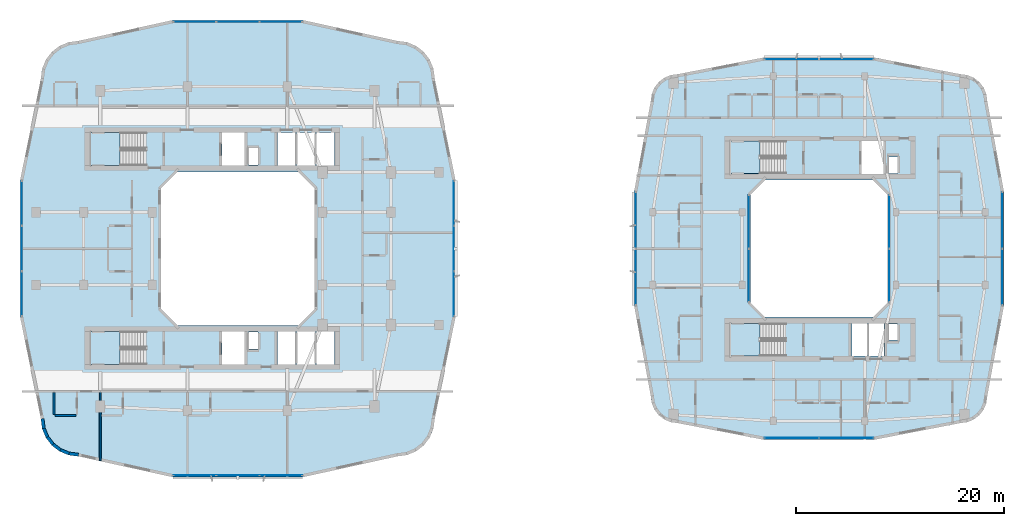
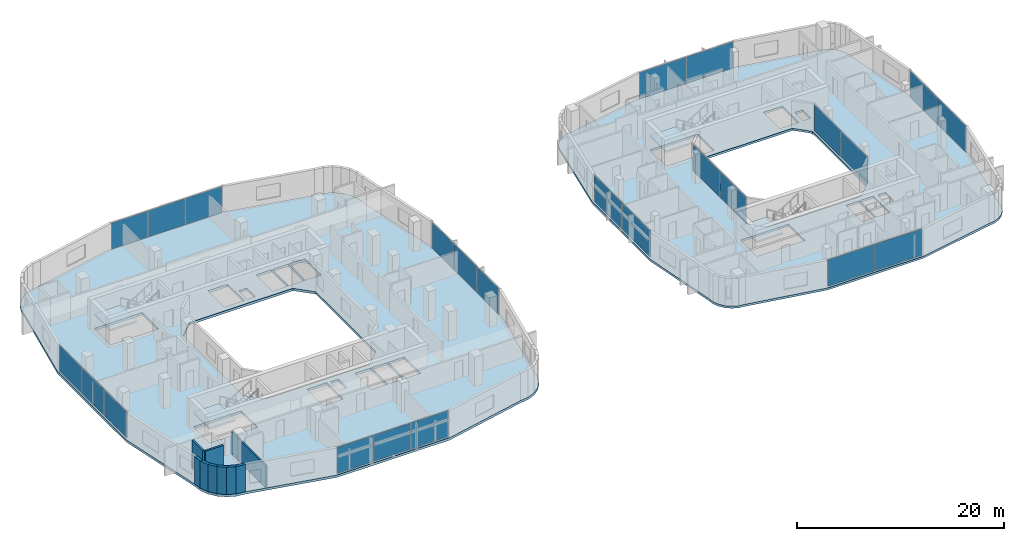
# One storey, part 11 of 25: 24 plates, 9 walls, 6 slabs, 14 elements without a shape of their own.
"""IFC4 building model written with IfcOpenShell, lengths in metres."""

from ifc_helpers import new_model, si_unit, derived_unit, direction, frame, frame_2d, origin, origin_2d, place, context, subcontext, project, spatial, polyline, rectangle, outline, extrude, material, layer, layer_set, type_object, element, aggregate, save


model = new_model("IFC4")

# Units and contexts
model_context = context("Model", 3, precision=1e-05, world=origin(), true_north=direction((0.0, 1.0)))
body_context = subcontext(model_context, "Body", "Model", "MODEL_VIEW")
ifc_project = project(units=[si_unit("LENGTHUNIT", "METRE"), si_unit("AREAUNIT", "SQUARE_METRE"), si_unit("VOLUMEUNIT", "CUBIC_METRE"), si_unit("PLANEANGLEUNIT", "RADIAN"), si_unit("MASSUNIT", "GRAM", prefix="KILO"), derived_unit("THERMALTRANSMITTANCEUNIT", [(si_unit("POWERUNIT", "WATT"), 1), (si_unit("LENGTHUNIT", "METRE"), -2), (si_unit("THERMODYNAMICTEMPERATUREUNIT", "KELVIN"), -1)])], contexts=[model_context])

# Site, building, storey
site_placement = place(None, origin())
site = spatial("IfcSite", under=ifc_project, at=site_placement, CompositionType="ELEMENT")
building_placement = place(site_placement, origin())
building = spatial("IfcBuilding", under=site, at=building_placement, Name="Kivonza Crest Hotel", CompositionType="ELEMENT")
storey_placement = place(building_placement, frame((0.0, 0.0, 83.5)))
storey = spatial("IfcBuildingStorey", under=building, at=storey_placement, Name="L22", CompositionType="ELEMENT", Elevation=83.5)

# Curtain wall, plates
ifc_material_1 = material(Name="Anodised bronze aluminium and low-E double glazing", Category="aluminium")
ifc_layer_1 = layer(ifc_material_1, 0.179931640625)
ifc_layer_set_1 = layer_set([ifc_layer_1], Name="Anodised bronze aluminium and low-E double glazing")
curtain_wall_type_1 = type_object("IfcCurtainWallType", Name="CW-SYS-2", PredefinedType="NOTDEFINED", material=ifc_layer_set_1)
curtain_wall_1_placement = place(storey_placement, origin())
curtain_wall_1 = element("IfcCurtainWall", 1, at=curtain_wall_1_placement, inside=storey, type_object=curtain_wall_type_1, Name="L22 unitised curtain wall CW-T1-L22-08", PredefinedType="NOTDEFINED")
ifc_material_2 = material(Name="Solar-control low-E double glazing", Category="glass")
ifc_layer_2 = layer(ifc_material_2, 0.028076171875)
ifc_layer_set_2 = layer_set([ifc_layer_2], Name="Solar-control low-E double glazing")
plate_type = type_object("IfcPlateType", Name="CW-PNL-28", PredefinedType="CURTAIN_PANEL", material=ifc_layer_set_2)
plate_1_placement = place(storey_placement, frame((16.890869140625, 3.159912109375, 0.06494140625), z_axis=(0.0, 0.0, 1.0), x_axis=(1.0, 0.0, 0.0)))
plate_1 = element("IfcPlate", 2, at=plate_1_placement, type_object=plate_type, Name="CW-2 panel 1.1", PredefinedType="CURTAIN_PANEL", context=body_context, shape_type="SweptSolid", body=[
    extrude(rectangle(XDim=4.06787109375, YDim=0.028076171875, at=origin_2d()), origin(), (0.0, 0.0, 1.0), 3.090087890625),
])
plate_2_placement = place(storey_placement, frame((21.0400390625, 3.159912109375, 0.06494140625), z_axis=(0.0, 0.0, 1.0), x_axis=(1.0, 0.0, 0.0)))
plate_2 = element("IfcPlate", 3, at=plate_2_placement, type_object=plate_type, Name="CW-2 panel 2.1", PredefinedType="CURTAIN_PANEL", context=body_context, shape_type="SweptSolid", body=[
    extrude(rectangle(XDim=4.100341796875, YDim=0.028076171875, at=origin_2d()), origin(), (0.0, 0.0, 1.0), 3.090087890625),
])
plate_3_placement = place(storey_placement, frame((25.18896484375, 3.159912109375, 0.06494140625), z_axis=(0.0, 0.0, 1.0), x_axis=(1.0, 0.0, 0.0)))
plate_3 = element("IfcPlate", 4, at=plate_3_placement, type_object=plate_type, Name="CW-2 panel 3.1", PredefinedType="CURTAIN_PANEL", context=body_context, shape_type="SweptSolid", body=[
    extrude(rectangle(XDim=4.06787109375, YDim=0.028076171875, at=origin_2d()), origin(), (0.0, 0.0, 1.0), 3.090087890625),
])
aggregate(curtain_wall_1, [plate_1, plate_2, plate_3])

curtain_wall_2_placement = place(storey_placement, origin())
curtain_wall_2 = element("IfcCurtainWall", 5, at=curtain_wall_2_placement, inside=storey, type_object=curtain_wall_type_1, Name="L22 unitised curtain wall CW-T1-L22-17", PredefinedType="NOTDEFINED")
plate_4_placement = place(storey_placement, frame((41.840087890625, 20.642822265625, 0.06494140625), z_axis=(0.0, 0.0, 1.0), x_axis=(0.0, 1.0, 0.0)))
plate_4 = element("IfcPlate", 6, at=plate_4_placement, type_object=plate_type, Name="CW-2 panel 1.1", PredefinedType="CURTAIN_PANEL", context=body_context, shape_type="SweptSolid", body=[
    extrude(rectangle(XDim=4.27587890625, YDim=0.028076171875, at=origin_2d()), origin(), (0.0, 0.0, 1.0), 3.090087890625),
])
plate_5_placement = place(storey_placement, frame((41.840087890625, 25.0, 0.06494140625), z_axis=(0.0, 0.0, 1.0), x_axis=(0.0, 1.0, 0.0)))
plate_5 = element("IfcPlate", 7, at=plate_5_placement, type_object=plate_type, Name="CW-2 panel 2.1", PredefinedType="CURTAIN_PANEL", context=body_context, shape_type="SweptSolid", body=[
    extrude(rectangle(XDim=4.308349609375, YDim=0.028076171875, at=origin_2d()), origin(), (0.0, 0.0, 1.0), 3.090087890625),
])
plate_6_placement = place(storey_placement, frame((41.840087890625, 29.357177734375, 0.06494140625), z_axis=(0.0, 0.0, 1.0), x_axis=(0.0, 1.0, 0.0)))
plate_6 = element("IfcPlate", 8, at=plate_6_placement, type_object=plate_type, Name="CW-2 panel 3.1", PredefinedType="CURTAIN_PANEL", context=body_context, shape_type="SweptSolid", body=[
    extrude(rectangle(XDim=4.27587890625, YDim=0.028076171875, at=origin_2d()), origin(), (0.0, 0.0, 1.0), 3.090087890625),
])
aggregate(curtain_wall_2, [plate_4, plate_5, plate_6])

curtain_wall_3_placement = place(storey_placement, origin())
curtain_wall_3 = element("IfcCurtainWall", 9, at=curtain_wall_3_placement, inside=storey, type_object=curtain_wall_type_1, Name="L22 unitised curtain wall CW-T1-L22-26", PredefinedType="NOTDEFINED")
plate_7_placement = place(storey_placement, frame((25.18896484375, 46.840087890625, 0.06494140625), z_axis=(0.0, 0.0, 1.0), x_axis=(-1.0, 0.0, 0.0)))
plate_7 = element("IfcPlate", 10, at=plate_7_placement, type_object=plate_type, Name="CW-2 panel 1.1", PredefinedType="CURTAIN_PANEL", context=body_context, shape_type="SweptSolid", body=[
    extrude(rectangle(XDim=4.06787109375, YDim=0.028076171875, at=origin_2d()), origin(), (0.0, 0.0, 1.0), 3.090087890625),
])
plate_8_placement = place(storey_placement, frame((21.0400390625, 46.840087890625, 0.06494140625), z_axis=(0.0, 0.0, 1.0), x_axis=(-1.0, 0.0, 0.0)))
plate_8 = element("IfcPlate", 11, at=plate_8_placement, type_object=plate_type, Name="CW-2 panel 2.1", PredefinedType="CURTAIN_PANEL", context=body_context, shape_type="SweptSolid", body=[
    extrude(rectangle(XDim=4.100341796875, YDim=0.028076171875, at=origin_2d()), origin(), (0.0, 0.0, 1.0), 3.090087890625),
])
plate_9_placement = place(storey_placement, frame((16.890869140625, 46.840087890625, 0.06494140625), z_axis=(0.0, 0.0, 1.0), x_axis=(-1.0, 0.0, 0.0)))
plate_9 = element("IfcPlate", 12, at=plate_9_placement, type_object=plate_type, Name="CW-2 panel 3.1", PredefinedType="CURTAIN_PANEL", context=body_context, shape_type="SweptSolid", body=[
    extrude(rectangle(XDim=4.06787109375, YDim=0.028076171875, at=origin_2d()), origin(), (0.0, 0.0, 1.0), 3.090087890625),
])
aggregate(curtain_wall_3, [plate_7, plate_8, plate_9])

curtain_wall_4_placement = place(storey_placement, origin())
curtain_wall_4 = element("IfcCurtainWall", 13, at=curtain_wall_4_placement, inside=storey, type_object=curtain_wall_type_1, Name="L22 unitised curtain wall CW-T1-L22-35", PredefinedType="NOTDEFINED")
plate_10_placement = place(storey_placement, frame((0.239990234375, 29.357177734375, 0.06494140625), z_axis=(0.0, 0.0, 1.0), x_axis=(0.0, -1.0, 0.0)))
plate_10 = element("IfcPlate", 14, at=plate_10_placement, type_object=plate_type, Name="CW-2 panel 1.1", PredefinedType="CURTAIN_PANEL", context=body_context, shape_type="SweptSolid", body=[
    extrude(rectangle(XDim=4.27587890625, YDim=0.028076171875, at=origin_2d()), origin(), (0.0, 0.0, 1.0), 3.090087890625),
])
plate_11_placement = place(storey_placement, frame((0.239990234375, 25.0, 0.06494140625), z_axis=(0.0, 0.0, 1.0), x_axis=(0.0, -1.0, 0.0)))
plate_11 = element("IfcPlate", 15, at=plate_11_placement, type_object=plate_type, Name="CW-2 panel 2.1", PredefinedType="CURTAIN_PANEL", context=body_context, shape_type="SweptSolid", body=[
    extrude(rectangle(XDim=4.308349609375, YDim=0.028076171875, at=origin_2d()), origin(), (0.0, 0.0, 1.0), 3.090087890625),
])
plate_12_placement = place(storey_placement, frame((0.239990234375, 20.642822265625, 0.06494140625), z_axis=(0.0, 0.0, 1.0), x_axis=(0.0, -1.0, 0.0)))
plate_12 = element("IfcPlate", 16, at=plate_12_placement, type_object=plate_type, Name="CW-2 panel 3.1", PredefinedType="CURTAIN_PANEL", context=body_context, shape_type="SweptSolid", body=[
    extrude(rectangle(XDim=4.27587890625, YDim=0.028076171875, at=origin_2d()), origin(), (0.0, 0.0, 1.0), 3.090087890625),
])
aggregate(curtain_wall_4, [plate_10, plate_11, plate_12])

ifc_layer_3 = layer(ifc_material_1, 0.179931640625)
ifc_layer_set_3 = layer_set([ifc_layer_3], Name="Anodised bronze aluminium and low-E double glazing")
curtain_wall_type_2 = type_object("IfcCurtainWallType", Name="CW-SYS-4", PredefinedType="NOTDEFINED", material=ifc_layer_set_3)
curtain_wall_5_placement = place(storey_placement, origin())
curtain_wall_5 = element("IfcCurtainWall", 17, at=curtain_wall_5_placement, inside=storey, type_object=curtain_wall_type_2, Name="L22 unitised curtain wall CW-T2-L22-08", PredefinedType="NOTDEFINED")
plate_13_placement = place(storey_placement, frame((74.3662109375, 6.760009765625, 0.06494140625), z_axis=(0.0, 0.0, 1.0), x_axis=(1.0, 0.0, 0.0)))
plate_13 = element("IfcPlate", 18, at=plate_13_placement, type_object=plate_type, Name="CW-4 panel 1.1", PredefinedType="CURTAIN_PANEL", context=body_context, shape_type="SweptSolid", body=[
    extrude(rectangle(XDim=5.202392578125, YDim=0.028076171875, at=origin_2d()), origin(), (0.0, 0.0, 1.0), 3.1201171875),
])
plate_14_placement = place(storey_placement, frame((79.6337890625, 6.760009765625, 0.06494140625), z_axis=(0.0, 0.0, 1.0), x_axis=(1.0, 0.0, 0.0)))
plate_14 = element("IfcPlate", 19, at=plate_14_placement, type_object=plate_type, Name="CW-4 panel 2.1", PredefinedType="CURTAIN_PANEL", context=body_context, shape_type="SweptSolid", body=[
    extrude(rectangle(XDim=5.202392578125, YDim=0.028076171875, at=origin_2d()), origin(), (0.0, 0.0, 1.0), 3.1201171875),
])
aggregate(curtain_wall_5, [plate_13, plate_14])

curtain_wall_6_placement = place(storey_placement, origin())
curtain_wall_6 = element("IfcCurtainWall", 20, at=curtain_wall_6_placement, inside=storey, type_object=curtain_wall_type_2, Name="L22 unitised curtain wall CW-T2-L22-17", PredefinedType="NOTDEFINED")
plate_15_placement = place(storey_placement, frame((94.639892578125, 22.2763671875, 0.06494140625), z_axis=(0.0, 0.0, 1.0), x_axis=(0.0, 1.0, 0.0)))
plate_15 = element("IfcPlate", 21, at=plate_15_placement, type_object=plate_type, Name="CW-4 panel 1.1", PredefinedType="CURTAIN_PANEL", context=body_context, shape_type="SweptSolid", body=[
    extrude(rectangle(XDim=5.382568359375, YDim=0.028076171875, at=origin_2d()), origin(), (0.0, 0.0, 1.0), 3.1201171875),
])
plate_16_placement = place(storey_placement, frame((94.639892578125, 27.7236328125, 0.06494140625), z_axis=(0.0, 0.0, 1.0), x_axis=(0.0, 1.0, 0.0)))
plate_16 = element("IfcPlate", 22, at=plate_16_placement, type_object=plate_type, Name="CW-4 panel 2.1", PredefinedType="CURTAIN_PANEL", context=body_context, shape_type="SweptSolid", body=[
    extrude(rectangle(XDim=5.382568359375, YDim=0.028076171875, at=origin_2d()), origin(), (0.0, 0.0, 1.0), 3.1201171875),
])
aggregate(curtain_wall_6, [plate_15, plate_16])

curtain_wall_7_placement = place(storey_placement, origin())
curtain_wall_7 = element("IfcCurtainWall", 23, at=curtain_wall_7_placement, inside=storey, type_object=curtain_wall_type_2, Name="L22 unitised curtain wall CW-T2-L22-26", PredefinedType="NOTDEFINED")
plate_17_placement = place(storey_placement, frame((79.6337890625, 43.239990234375, 0.06494140625), z_axis=(0.0, 0.0, 1.0), x_axis=(-1.0, 0.0, 0.0)))
plate_17 = element("IfcPlate", 24, at=plate_17_placement, type_object=plate_type, Name="CW-4 panel 1.1", PredefinedType="CURTAIN_PANEL", context=body_context, shape_type="SweptSolid", body=[
    extrude(rectangle(XDim=5.202392578125, YDim=0.028076171875, at=origin_2d()), origin(), (0.0, 0.0, 1.0), 3.1201171875),
])
plate_18_placement = place(storey_placement, frame((74.3662109375, 43.239990234375, 0.06494140625), z_axis=(0.0, 0.0, 1.0), x_axis=(-1.0, 0.0, 0.0)))
plate_18 = element("IfcPlate", 25, at=plate_18_placement, type_object=plate_type, Name="CW-4 panel 2.1", PredefinedType="CURTAIN_PANEL", context=body_context, shape_type="SweptSolid", body=[
    extrude(rectangle(XDim=5.202392578125, YDim=0.028076171875, at=origin_2d()), origin(), (0.0, 0.0, 1.0), 3.1201171875),
])
aggregate(curtain_wall_7, [plate_17, plate_18])

curtain_wall_8_placement = place(storey_placement, origin())
curtain_wall_8 = element("IfcCurtainWall", 26, at=curtain_wall_8_placement, inside=storey, type_object=curtain_wall_type_2, Name="L22 unitised curtain wall CW-T2-L22-35", PredefinedType="NOTDEFINED")
plate_19_placement = place(storey_placement, frame((59.360107421875, 27.7236328125, 0.06494140625), z_axis=(0.0, 0.0, 1.0), x_axis=(0.0, -1.0, 0.0)))
plate_19 = element("IfcPlate", 27, at=plate_19_placement, type_object=plate_type, Name="CW-4 panel 1.1", PredefinedType="CURTAIN_PANEL", context=body_context, shape_type="SweptSolid", body=[
    extrude(rectangle(XDim=5.382568359375, YDim=0.028076171875, at=origin_2d()), origin(), (0.0, 0.0, 1.0), 3.1201171875),
])
plate_20_placement = place(storey_placement, frame((59.360107421875, 22.2763671875, 0.06494140625), z_axis=(0.0, 0.0, 1.0), x_axis=(0.0, -1.0, 0.0)))
plate_20 = element("IfcPlate", 28, at=plate_20_placement, type_object=plate_type, Name="CW-4 panel 2.1", PredefinedType="CURTAIN_PANEL", context=body_context, shape_type="SweptSolid", body=[
    extrude(rectangle(XDim=5.382568359375, YDim=0.028076171875, at=origin_2d()), origin(), (0.0, 0.0, 1.0), 3.1201171875),
])
aggregate(curtain_wall_8, [plate_19, plate_20])

ifc_layer_4 = layer(ifc_material_1, 0.159912109375)
ifc_layer_set_4 = layer_set([ifc_layer_4], Name="Anodised bronze aluminium and low-E double glazing")
curtain_wall_type_3 = type_object("IfcCurtainWallType", Name="CW-SYS-5", PredefinedType="NOTDEFINED", material=ifc_layer_set_4)
curtain_wall_9_placement = place(storey_placement, origin())
curtain_wall_9 = element("IfcCurtainWall", 29, at=curtain_wall_9_placement, inside=storey, type_object=curtain_wall_type_3, Name="L22 unitised curtain wall CW-WELL-T2-L22-3", PredefinedType="NOTDEFINED")
plate_21_placement = place(storey_placement, frame((83.760009765625, 22.416259765625, 0.06494140625), z_axis=(0.0, 0.0, 1.0), x_axis=(0.0, 1.0, 0.0)))
plate_21 = element("IfcPlate", 30, at=plate_21_placement, type_object=plate_type, Name="CW-5 panel 1.1", PredefinedType="CURTAIN_PANEL", context=body_context, shape_type="SweptSolid", body=[
    extrude(rectangle(XDim=5.1025390625, YDim=0.028076171875, at=origin_2d()), origin(), (0.0, 0.0, 1.0), 3.1201171875),
])
plate_22_placement = place(storey_placement, frame((83.760009765625, 27.583740234375, 0.06494140625), z_axis=(0.0, 0.0, 1.0), x_axis=(0.0, 1.0, 0.0)))
plate_22 = element("IfcPlate", 31, at=plate_22_placement, type_object=plate_type, Name="CW-5 panel 2.1", PredefinedType="CURTAIN_PANEL", context=body_context, shape_type="SweptSolid", body=[
    extrude(rectangle(XDim=5.1025390625, YDim=0.028076171875, at=origin_2d()), origin(), (0.0, 0.0, 1.0), 3.1201171875),
])
aggregate(curtain_wall_9, [plate_21, plate_22])

curtain_wall_10_placement = place(storey_placement, origin())
curtain_wall_10 = element("IfcCurtainWall", 32, at=curtain_wall_10_placement, inside=storey, type_object=curtain_wall_type_3, Name="L22 unitised curtain wall CW-WELL-T2-L22-7", PredefinedType="NOTDEFINED")
plate_23_placement = place(storey_placement, frame((70.239990234375, 27.583740234375, 0.06494140625), z_axis=(0.0, 0.0, 1.0), x_axis=(0.0, -1.0, 0.0)))
plate_23 = element("IfcPlate", 33, at=plate_23_placement, type_object=plate_type, Name="CW-5 panel 1.1", PredefinedType="CURTAIN_PANEL", context=body_context, shape_type="SweptSolid", body=[
    extrude(rectangle(XDim=5.1025390625, YDim=0.028076171875, at=origin_2d()), origin(), (0.0, 0.0, 1.0), 3.1201171875),
])
plate_24_placement = place(storey_placement, frame((70.239990234375, 22.416259765625, 0.06494140625), z_axis=(0.0, 0.0, 1.0), x_axis=(0.0, -1.0, 0.0)))
plate_24 = element("IfcPlate", 34, at=plate_24_placement, type_object=plate_type, Name="CW-5 panel 2.1", PredefinedType="CURTAIN_PANEL", context=body_context, shape_type="SweptSolid", body=[
    extrude(rectangle(XDim=5.1025390625, YDim=0.028076171875, at=origin_2d()), origin(), (0.0, 0.0, 1.0), 3.1201171875),
])
aggregate(curtain_wall_10, [plate_23, plate_24])

# Slab
ifc_material_3 = material(Name="Concrete C40/50", Category="concrete")
ifc_layer_5 = layer(ifc_material_3, 0.280029296875)
ifc_layer_set_5 = layer_set([ifc_layer_5], Name="Concrete C40/50")
slab_type_1 = type_object("IfcSlabType", Name="SL-HTL-280", PredefinedType="FLOOR", material=ifc_layer_set_5)
slab_1_placement = place(storey_placement, frame((0.0, 0.0, -0.280029296875)))
element("IfcSlab", 35, at=slab_1_placement, inside=storey, type_object=slab_type_1, Name="Tower T1 L22 floor slab", PredefinedType="FLOOR", context=body_context, shape_type="SweptSolid", body=[
    extrude(outline(polyline([(2.080078125, 8.60009765625), (2.202880859375, 7.66796875), (2.56201171875, 6.800048828125), (3.134033203125, 6.053955078125), (3.8798828125, 5.48193359375), (4.748046875, 5.123046875), (5.679931640625, 5.0), (14.751953125, 3.0), (27.327880859375, 3.0), (36.39990234375, 5.0), (37.33203125, 5.123046875), (38.199951171875, 5.48193359375), (38.946044921875, 6.053955078125), (39.51806640625, 6.800048828125), (39.876953125, 7.66796875), (40.0, 8.60009765625), (42.0, 18.39990234375), (42.0, 31.60009765625), (40.0, 41.39990234375), (39.876953125, 42.33203125), (39.51806640625, 43.199951171875), (38.946044921875, 43.946044921875), (38.199951171875, 44.51806640625), (37.33203125, 44.876953125), (36.39990234375, 45.0), (27.327880859375, 47.0), (14.751953125, 47.0), (5.679931640625, 45.0), (4.748046875, 44.876953125), (3.8798828125, 44.51806640625), (3.134033203125, 43.946044921875), (2.56201171875, 43.199951171875), (2.202880859375, 42.33203125), (2.080078125, 41.39990234375), (0.080078125, 31.60009765625), (0.080078125, 18.39990234375), (2.080078125, 8.60009765625)]), holes=[polyline([(15.239990234375, 17.60009765625), (26.840087890625, 17.60009765625), (28.43994140625, 19.199951171875), (28.43994140625, 30.800048828125), (26.840087890625, 32.39990234375), (15.239990234375, 32.39990234375), (13.639892578125, 30.800048828125), (13.639892578125, 19.199951171875), (15.239990234375, 17.60009765625)]), polyline([(6.800048828125, 33.02001953125), (12.159912109375, 33.02001953125), (12.159912109375, 36.159912109375), (6.800048828125, 36.159912109375), (6.800048828125, 33.02001953125)]), polyline([(6.800048828125, 13.860107421875), (12.159912109375, 13.860107421875), (12.159912109375, 17.0), (6.800048828125, 17.0), (6.800048828125, 13.860107421875)]), polyline([(22.080078125, 33.0400390625), (22.969970703125, 33.0400390625), (22.969970703125, 34.679931640625), (22.080078125, 34.679931640625), (22.080078125, 33.0400390625)]), polyline([(22.080078125, 15.320068359375), (22.969970703125, 15.320068359375), (22.969970703125, 16.9599609375), (22.080078125, 16.9599609375), (22.080078125, 15.320068359375)]), polyline([(19.5, 33.0), (21.699951171875, 33.0), (21.699951171875, 36.159912109375), (19.5, 36.159912109375), (19.5, 33.0)]), polyline([(24.860107421875, 33.0), (26.60693359375, 33.0), (26.60693359375, 36.159912109375), (24.860107421875, 36.159912109375), (24.860107421875, 33.0)]), polyline([(26.72705078125, 33.0), (28.472900390625, 33.0), (28.472900390625, 36.159912109375), (26.72705078125, 36.159912109375), (26.72705078125, 33.0)]), polyline([(28.593017578125, 33.0), (30.340087890625, 33.0), (30.340087890625, 36.159912109375), (28.593017578125, 36.159912109375), (28.593017578125, 33.0)]), polyline([(19.5, 13.840087890625), (21.699951171875, 13.840087890625), (21.699951171875, 17.0), (19.5, 17.0), (19.5, 13.840087890625)]), polyline([(24.860107421875, 13.840087890625), (26.60693359375, 13.840087890625), (26.60693359375, 17.0), (24.860107421875, 17.0), (24.860107421875, 13.840087890625)]), polyline([(26.72705078125, 13.840087890625), (28.472900390625, 13.840087890625), (28.472900390625, 17.0), (26.72705078125, 17.0), (26.72705078125, 13.840087890625)]), polyline([(28.593017578125, 13.840087890625), (30.340087890625, 13.840087890625), (30.340087890625, 17.0), (28.593017578125, 17.0), (28.593017578125, 13.840087890625)])]), origin(), (0.0, 0.0, 1.0), 0.280029296875),
])

# Stair, slab
stair_type = type_object("IfcStairType", Name="ST-DL-20R", PredefinedType="HALF_TURN_STAIR", material=ifc_material_3)
stair_1_placement = place(storey_placement, origin())
stair_1 = element("IfcStair", 36, at=stair_1_placement, inside=storey, type_object=stair_type, Name="L22 Protected Exit Stair ST-T1-N", PredefinedType="HALF_TURN_STAIR")
ifc_layer_6 = layer(ifc_material_3, 0.199951171875)
ifc_layer_set_6 = layer_set([ifc_layer_6], Name="Concrete C40/50")
slab_type_2 = type_object("IfcSlabType", Name="SL-LAND-200", PredefinedType="LANDING", material=ifc_layer_set_6)
slab_2_placement = place(storey_placement, frame((0.0, 0.0, 1.550048828125)))
slab_2 = element("IfcSlab", 37, at=slab_2_placement, type_object=slab_type_2, Name="ST-T1-N landing 1", PredefinedType="LANDING", context=body_context, shape_type="SweptSolid", body=[
    extrude(outline(polyline([(9.719970703125, 36.159912109375), (6.800048828125, 36.159912109375), (6.800048828125, 33.02001953125), (9.719970703125, 33.02001953125), (9.719970703125, 36.159912109375)])), origin(), (0.0, 0.0, 1.0), 0.199951171875),
])
aggregate(stair_1, [slab_2])

stair_2_placement = place(storey_placement, origin())
stair_2 = element("IfcStair", 38, at=stair_2_placement, inside=storey, type_object=stair_type, Name="L22 Protected Exit Stair ST-T1-S", PredefinedType="HALF_TURN_STAIR")
slab_3_placement = place(storey_placement, frame((0.0, 0.0, 1.550048828125)))
slab_3 = element("IfcSlab", 39, at=slab_3_placement, type_object=slab_type_2, Name="ST-T1-S landing 1", PredefinedType="LANDING", context=body_context, shape_type="SweptSolid", body=[
    extrude(outline(polyline([(9.719970703125, 17.0), (6.800048828125, 17.0), (6.800048828125, 13.860107421875), (9.719970703125, 13.860107421875), (9.719970703125, 17.0)])), origin(), (0.0, 0.0, 1.0), 0.199951171875),
])
aggregate(stair_2, [slab_3])

stair_3_placement = place(storey_placement, origin())
stair_3 = element("IfcStair", 40, at=stair_3_placement, inside=storey, type_object=stair_type, Name="L22 Protected Exit Stair ST-T2-N", PredefinedType="HALF_TURN_STAIR")
slab_4_placement = place(storey_placement, frame((0.0, 0.0, 1.550048828125)))
slab_4 = element("IfcSlab", 41, at=slab_4_placement, type_object=slab_type_2, Name="ST-T2-N landing 1", PredefinedType="LANDING", context=body_context, shape_type="SweptSolid", body=[
    extrude(outline(polyline([(71.320068359375, 35.360107421875), (68.39990234375, 35.360107421875), (68.39990234375, 32.219970703125), (71.320068359375, 32.219970703125), (71.320068359375, 35.360107421875)])), origin(), (0.0, 0.0, 1.0), 0.199951171875),
])
aggregate(stair_3, [slab_4])

stair_4_placement = place(storey_placement, origin())
stair_4 = element("IfcStair", 42, at=stair_4_placement, inside=storey, type_object=stair_type, Name="L22 Protected Exit Stair ST-T2-S", PredefinedType="HALF_TURN_STAIR")
slab_5_placement = place(storey_placement, frame((0.0, 0.0, 1.550048828125)))
slab_5 = element("IfcSlab", 43, at=slab_5_placement, type_object=slab_type_2, Name="ST-T2-S landing 1", PredefinedType="LANDING", context=body_context, shape_type="SweptSolid", body=[
    extrude(outline(polyline([(71.320068359375, 17.800048828125), (68.39990234375, 17.800048828125), (68.39990234375, 14.659912109375), (71.320068359375, 14.659912109375), (71.320068359375, 17.800048828125)])), origin(), (0.0, 0.0, 1.0), 0.199951171875),
])
aggregate(stair_4, [slab_5])

# Slab
ifc_layer_7 = layer(ifc_material_3, 0.25)
ifc_layer_set_7 = layer_set([ifc_layer_7], Name="Concrete C40/50")
slab_type_3 = type_object("IfcSlabType", Name="SL-RES-250", PredefinedType="FLOOR", material=ifc_layer_set_7)
slab_6_placement = place(storey_placement, frame((0.0, 0.0, -0.25)))
element("IfcSlab", 44, at=slab_6_placement, inside=storey, type_object=slab_type_3, Name="Companion Tower T2 L22 floor slab", PredefinedType="FLOOR", context=body_context, shape_type="SweptSolid", body=[
    extrude(outline(polyline([(60.800048828125, 10.800048828125), (60.888916015625, 10.126953125), (61.14794921875, 9.5), (61.56201171875, 8.9619140625), (62.10009765625, 8.548095703125), (62.72705078125, 8.2890625), (63.39990234375, 8.199951171875), (71.659912109375, 6.60009765625), (82.340087890625, 6.60009765625), (90.60009765625, 8.199951171875), (91.27294921875, 8.2890625), (91.89990234375, 8.548095703125), (92.43798828125, 8.9619140625), (92.85205078125, 9.5), (93.111083984375, 10.126953125), (93.199951171875, 10.800048828125), (94.800048828125, 19.47998046875), (94.800048828125, 30.52001953125), (93.199951171875, 39.199951171875), (93.111083984375, 39.873046875), (92.85205078125, 40.5), (92.43798828125, 41.0380859375), (91.89990234375, 41.451904296875), (91.27294921875, 41.7109375), (90.60009765625, 41.800048828125), (82.340087890625, 43.39990234375), (71.659912109375, 43.39990234375), (63.39990234375, 41.800048828125), (62.72705078125, 41.7109375), (62.10009765625, 41.451904296875), (61.56201171875, 41.0380859375), (61.14794921875, 40.5), (60.888916015625, 39.873046875), (60.800048828125, 39.199951171875), (59.199951171875, 30.52001953125), (59.199951171875, 19.47998046875), (60.800048828125, 10.800048828125)]), holes=[polyline([(71.800048828125, 18.39990234375), (82.199951171875, 18.39990234375), (83.60009765625, 19.800048828125), (83.60009765625, 30.199951171875), (82.199951171875, 31.60009765625), (71.800048828125, 31.60009765625), (70.39990234375, 30.199951171875), (70.39990234375, 19.800048828125), (71.800048828125, 18.39990234375)]), polyline([(68.39990234375, 32.219970703125), (73.760009765625, 32.219970703125), (73.760009765625, 35.360107421875), (68.39990234375, 35.360107421875), (68.39990234375, 32.219970703125)]), polyline([(68.39990234375, 14.659912109375), (73.760009765625, 14.659912109375), (73.760009765625, 17.800048828125), (68.39990234375, 17.800048828125), (68.39990234375, 14.659912109375)]), polyline([(83.679931640625, 32.239990234375), (84.570068359375, 32.239990234375), (84.570068359375, 33.820068359375), (83.679931640625, 33.820068359375), (83.679931640625, 32.239990234375)]), polyline([(83.679931640625, 16.179931640625), (84.570068359375, 16.179931640625), (84.570068359375, 17.760009765625), (83.679931640625, 17.760009765625), (83.679931640625, 16.179931640625)]), polyline([(81.10009765625, 32.199951171875), (83.199951171875, 32.199951171875), (83.199951171875, 35.360107421875), (81.10009765625, 35.360107421875), (81.10009765625, 32.199951171875)]), polyline([(80.159912109375, 14.639892578125), (81.639892578125, 14.639892578125), (81.639892578125, 17.800048828125), (80.159912109375, 17.800048828125), (80.159912109375, 14.639892578125)]), polyline([(81.760009765625, 14.639892578125), (83.239990234375, 14.639892578125), (83.239990234375, 17.800048828125), (81.760009765625, 17.800048828125), (81.760009765625, 14.639892578125)])]), origin(), (0.0, 0.0, 1.0), 0.25),
])

# Walls
ifc_material_4 = material(Name="High-density acoustic masonry inter-tenancy wall", Category="masonry")
ifc_layer_8 = layer(ifc_material_4, 0.179931640625)
ifc_layer_set_8 = layer_set([ifc_layer_8], Name="High-density acoustic masonry inter-tenancy wall")
wall_type_1 = type_object("IfcWallType", Name="WL-ACOU-180", PredefinedType="SOLIDWALL", material=ifc_layer_set_8)
wall_1_placement = place(storey_placement, frame((7.800048828125, 4.593994140625, 0.0), z_axis=(0.0, 0.0, 1.0), x_axis=(0.0, 1.0, 0.0)))
element("IfcWall", 45, at=wall_1_placement, inside=storey, type_object=wall_type_1, Name="L22 interior partition WA-L22-T1S-DIV1", PredefinedType="SOLIDWALL", context=body_context, shape_type="SweptSolid", body=[
    extrude(rectangle(XDim=6.656005859375, YDim=0.179931640625, at=frame_2d((3.328125, 0.0))), origin(), (0.0, 0.0, 1.0), 2.594970703125),
])
ifc_material_5 = material(Name="Precast concrete C40/50", Category="concrete")
ifc_layer_9 = layer(ifc_material_5, 0.300048828125)
ifc_layer_set_9 = layer_set([ifc_layer_9], Name="Precast concrete C40/50")
wall_type_2 = type_object("IfcWallType", Name="WL-EXT-300", PredefinedType="STANDARD", material=ifc_layer_set_9)
wall_2_placement = place(storey_placement, frame((2.22802734375, 8.6279296875, 0.0), z_axis=(0.0, 0.0, 1.0), x_axis=(0.131174864804, -0.991359246108, 0.0)))
element("IfcWall", 46, at=wall_2_placement, inside=storey, type_object=wall_type_2, Name="L22 T1 exterior insulated wall 1", PredefinedType="STANDARD", context=body_context, shape_type="SweptSolid", body=[
    extrude(rectangle(XDim=0.93798828125, YDim=0.300048828125, at=frame_2d((0.468994140625, 0.0))), origin(), (0.0, 0.0, 1.0), 3.219970703125),
])
wall_3_placement = place(storey_placement, frame((2.33203125, 7.748046875, 0.0), z_axis=(0.0, 0.0, 1.0), x_axis=(0.382344263057, -0.924019948111, 0.0)))
element("IfcWall", 47, at=wall_3_placement, inside=storey, type_object=wall_type_2, Name="L22 T1 exterior insulated wall 2", PredefinedType="STANDARD", context=body_context, shape_type="SweptSolid", body=[
    extrude(rectangle(XDim=0.95458984375, YDim=0.300048828125, at=frame_2d((0.477294921875, 0.0))), origin(), (0.0, 0.0, 1.0), 3.219970703125),
])
for number, where, z_axis, x_axis, name in (
    (48, (2.666015625, 6.910888671875, 0.0), (0.0, 0.0, 1.0), (0.608474481025, -0.793573440799, 0.0), "L22 T1 exterior insulated wall 3"),
    (49, (3.205078125, 6.18798828125, 0.0), (0.0, 0.0, 1.0), (0.793573440799, -0.608474481025, 0.0), "L22 T1 exterior insulated wall 4"),
):
    element("IfcWall", number, at=place(storey_placement, frame(where, z_axis=z_axis, x_axis=x_axis)), inside=storey, type_object=wall_type_2, Name=name, PredefinedType="STANDARD", context=body_context, shape_type="SweptSolid", body=[
        extrude(rectangle(XDim=0.954833984375, YDim=0.300048828125, at=frame_2d((0.4775390625, 0.0))), origin(), (0.0, 0.0, 1.0), 3.219970703125),
    ])
wall_4_placement = place(storey_placement, frame((3.9140625, 5.631103515625, 0.0), z_axis=(0.0, 0.0, 1.0), x_axis=(0.923982547689, -0.382434636986, 0.0)))
element("IfcWall", 50, at=wall_4_placement, inside=storey, type_object=wall_type_2, Name="L22 T1 exterior insulated wall 5", PredefinedType="STANDARD", context=body_context, shape_type="SweptSolid", body=[
    extrude(rectangle(XDim=0.954345703125, YDim=0.300048828125, at=frame_2d((0.47705078125, 0.0))), origin(), (0.0, 0.0, 1.0), 3.219970703125),
])
wall_5_placement = place(storey_placement, frame((4.742919921875, 5.27490234375, 0.0), z_axis=(0.0, 0.0, 1.0), x_axis=(0.99145856342, -0.130422072598, 0.0)))
element("IfcWall", 51, at=wall_5_placement, inside=storey, type_object=wall_type_2, Name="L22 T1 exterior insulated wall 6", PredefinedType="STANDARD", context=body_context, shape_type="SweptSolid", body=[
    extrude(rectangle(XDim=0.973388671875, YDim=0.300048828125, at=frame_2d((0.48681640625, 0.0))), origin(), (0.0, 0.0, 1.0), 3.219970703125),
])
ifc_material_6 = material(Name="Moisture-resistant plumbing chase partition wall", Category="gypsum")
ifc_layer_10 = layer(ifc_material_6, 0.199951171875)
ifc_layer_set_10 = layer_set([ifc_layer_10], Name="Moisture-resistant plumbing chase partition wall")
wall_type_3 = type_object("IfcWallType", Name="WL-PLUMB-200", PredefinedType="PLUMBINGWALL", material=ifc_layer_set_10)
wall_6_placement = place(storey_placement, frame((3.449951171875, 8.949951171875, 0.0), z_axis=(0.0, 0.0, 1.0), x_axis=(1.0, 0.0, 0.0)))
element("IfcWall", 52, at=wall_6_placement, inside=storey, type_object=wall_type_3, Name="L22 interior partition WW-L22-S03-BH", PredefinedType="PLUMBINGWALL", context=body_context, shape_type="SweptSolid", body=[
    extrude(rectangle(XDim=2.0, YDim=0.199951171875, at=frame_2d((1.0, 0.0))), origin(), (0.0, 0.0, 1.0), 3.219970703125),
])
wall_7_placement = place(storey_placement, frame((3.35009765625, 9.050048828125, 0.0), z_axis=(0.0, 0.0, 1.0), x_axis=(0.0, 1.0, 0.0)))
element("IfcWall", 53, at=wall_7_placement, inside=storey, type_object=wall_type_3, Name="L22 interior partition WW-L22-S03-BVW", PredefinedType="PLUMBINGWALL", context=body_context, shape_type="SweptSolid", body=[
    extrude(rectangle(XDim=2.099853515625, YDim=0.199951171875, at=frame_2d((1.0498046875, 0.0))), origin(), (0.0, 0.0, 1.0), 3.219970703125),
])

save(model, "model.ifc")
